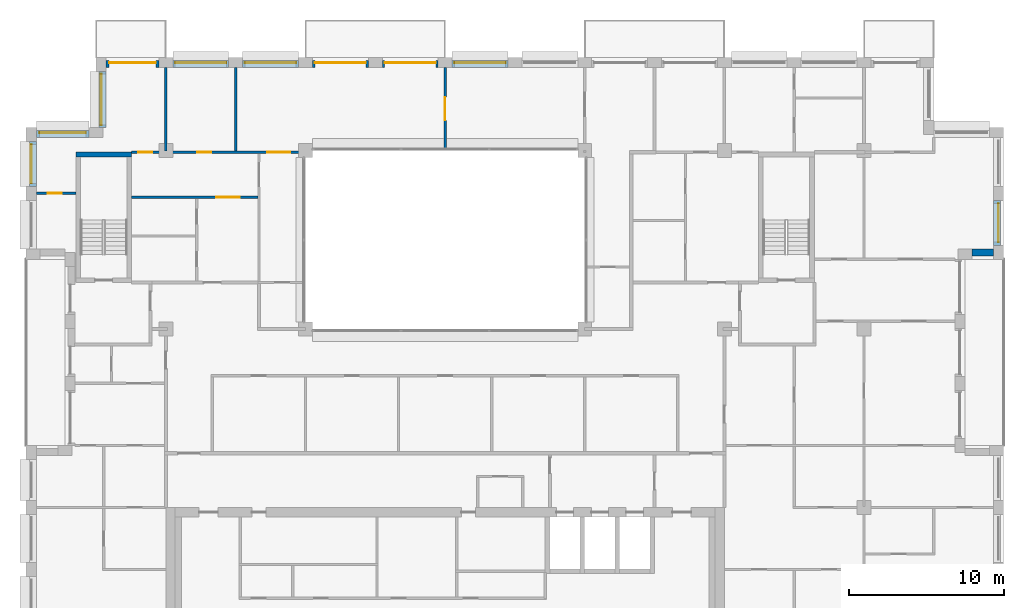
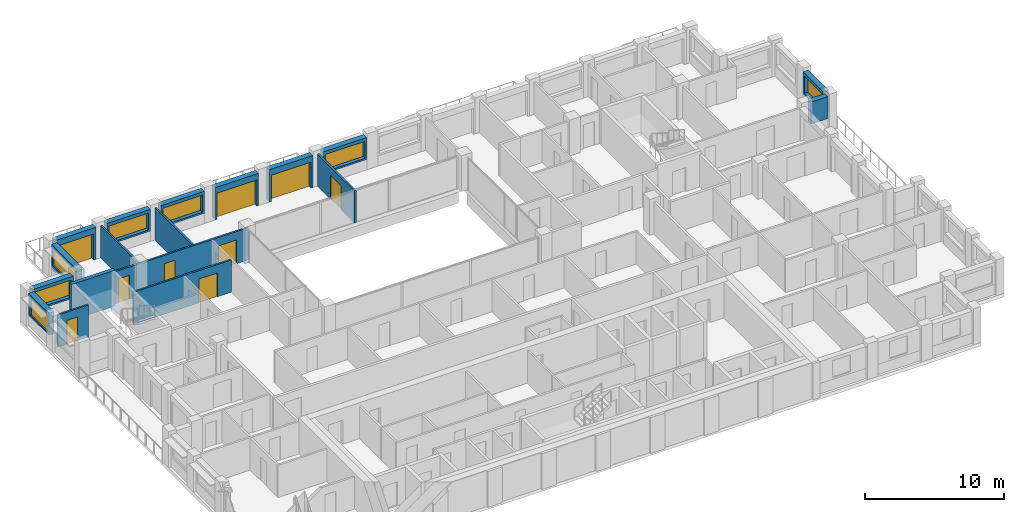
# One storey, part 13 of 16: 18 walls, 9 doors, 7 windows, 16 openings.
"""IFC4 building model written with IfcOpenShell, lengths in metres."""

from ifc_helpers import new_model, si_unit, direction, frame, frame_2d, origin, place, context, subcontext, project, spatial, rectangle, extrude, material, layer, layer_set, type_object, element, fill, save


model = new_model("IFC4")

# Units and contexts
model_context = context("Model", 3, precision=1e-05, world=origin(), true_north=direction((0.0, 1.0)))
body_context = subcontext(model_context, "Body", "Model", "MODEL_VIEW")
ifc_project = project(units=[si_unit("LENGTHUNIT", "METRE"), si_unit("AREAUNIT", "SQUARE_METRE"), si_unit("VOLUMEUNIT", "CUBIC_METRE"), si_unit("PLANEANGLEUNIT", "RADIAN"), si_unit("MASSUNIT", "GRAM", prefix="KILO")], contexts=[model_context])

# Site, building, storey
site_placement = place(None, origin())
site = spatial("IfcSite", under=ifc_project, at=site_placement, CompositionType="ELEMENT")
building_placement = place(site_placement, origin())
building = spatial("IfcBuilding", under=site, at=building_placement, Name="Brigalow Station Residences", CompositionType="ELEMENT")
storey_placement = place(building_placement, frame((0.0, 0.0, 201.14990234375)))
storey = spatial("IfcBuildingStorey", under=building, at=storey_placement, Name="L57", CompositionType="ELEMENT", Elevation=201.14990234375)

# Wall
ifc_material_1 = material(Name="Clay brick masonry", Category="masonry")
ifc_layer_1 = layer(ifc_material_1, 0.449951171875)
ifc_layer_set_1 = layer_set([ifc_layer_1], Name="BRICK INFILL WALL 450")
wall_type_1 = type_object("IfcWallType", Name="BRICK INFILL WALL 450", PredefinedType="SOLIDWALL", material=ifc_layer_set_1)
wall_1_placement = place(storey_placement, frame((69.949951171875, 28.925048828125, 0.900146484375), z_axis=(0.0, 0.0, 1.0), x_axis=(1.0, 0.0, 0.0)))
element("IfcWall", 1, at=wall_1_placement, inside=storey, type_object=wall_type_1, Name="L57/ewall/W-L57-15", PredefinedType="SOLIDWALL", context=body_context, shape_type="SweptSolid", body=[
    extrude(rectangle(XDim=1.400146484375, YDim=0.449951171875, at=frame_2d((0.7001953125, 0.0))), origin(), (0.0, 0.0, 1.0), 1.929931640625),
])

# Wall, opening, window
wall_2_placement = place(storey_placement, frame((71.574951171875, 29.39990234375, 0.900146484375), z_axis=(0.0, 0.0, 1.0), x_axis=(0.0, 1.0, 0.0)))
wall_2 = element("IfcWall", 2, at=wall_2_placement, inside=storey, type_object=wall_type_1, Name="L57/ewall/W-L57-16", PredefinedType="SOLIDWALL", context=body_context, shape_type="SweptSolid", body=[
    extrude(rectangle(XDim=2.900146484375, YDim=0.449951171875, at=frame_2d((1.4501953125, 0.0))), origin(), (0.0, 0.0, 1.0), 1.929931640625),
])
opening_1_placement = place(wall_2_placement, frame((0.199951171875, 0.0, 0.14990234375)))
opening_1 = element("IfcOpeningElement", 3, at=opening_1_placement, cuts=wall_2, Name="Opening WT-5", PredefinedType="OPENING", context=body_context, shape_type="SweptSolid", body=[
    extrude(rectangle(XDim=2.5, YDim=1.5, at=frame_2d((1.25, 0.75))), frame((0.0, 0.23486328125, 0.0), z_axis=(0.0, -1.0, 0.0), x_axis=(1.0, 0.0, 0.0)), (0.0, 0.0, 1.0), 0.469970703125),
])
ifc_material_2 = material(Name="Anodised aluminium frame with double glazing", Category="aluminium")
window_type_1 = type_object("IfcWindowType", Name="WINDOW 2500x1500", PartitioningType="SINGLE_PANEL", PredefinedType="WINDOW", material=ifc_material_2)
window_1_placement = place(opening_1_placement, origin())
window_1 = element("IfcWindow", 4, at=window_1_placement, inside=storey, type_object=window_type_1, Name="L57/window/W-L57-16", OverallHeight=1.5, OverallWidth=2.5, PartitioningType="SINGLE_PANEL", PredefinedType="WINDOW", context=body_context, shape_type="SweptSolid", body=[
    extrude(rectangle(XDim=2.5, YDim=1.5, at=frame_2d((1.25, 0.75))), frame((0.0, -0.06494140625, 0.0), z_axis=(0.0, -1.0, 0.0), x_axis=(1.0, 0.0, 0.0)), (0.0, 0.0, 1.0), 0.06005859375),
])
fill(opening_1, window_1)

wall_3_placement = place(storey_placement, frame((40.050048828125, 41.074951171875, 0.900146484375), z_axis=(0.0, 0.0, 1.0), x_axis=(-1.0, 0.0, 0.0)))
wall_3 = element("IfcWall", 5, at=wall_3_placement, inside=storey, type_object=wall_type_1, Name="L57/ewall/W-L57-26", PredefinedType="SOLIDWALL", context=body_context, shape_type="SweptSolid", body=[
    extrude(rectangle(XDim=3.60009765625, YDim=0.449951171875, at=frame_2d((1.800048828125, 0.0))), origin(), (0.0, 0.0, 1.0), 1.929931640625),
])
opening_2_placement = place(wall_3_placement, frame((0.14990234375, 0.0, 0.14990234375)))
opening_2 = element("IfcOpeningElement", 6, at=opening_2_placement, cuts=wall_3, Name="Opening WT-10", PredefinedType="OPENING", context=body_context, shape_type="SweptSolid", body=[
    extrude(rectangle(XDim=3.300048828125, YDim=1.5, at=frame_2d((1.64990234375, 0.75))), frame((0.0, 0.23486328125, 0.0), z_axis=(0.0, -1.0, 0.0), x_axis=(1.0, 0.0, 0.0)), (0.0, 0.0, 1.0), 0.469970703125),
])
ifc_material_3 = material(Name="Anodised aluminium frame with double glazing", Category="aluminium")
window_type_2 = type_object("IfcWindowType", Name="WINDOW 3300x1500", PartitioningType="SINGLE_PANEL", PredefinedType="WINDOW", material=ifc_material_3)
window_2_placement = place(opening_2_placement, origin())
window_2 = element("IfcWindow", 7, at=window_2_placement, inside=storey, type_object=window_type_2, Name="L57/window/W-L57-26", OverallHeight=1.5, OverallWidth=3.300048828125, PartitioningType="SINGLE_PANEL", PredefinedType="WINDOW", context=body_context, shape_type="SweptSolid", body=[
    extrude(rectangle(XDim=3.300048828125, YDim=1.5, at=frame_2d((1.64990234375, 0.75))), frame((0.0, -0.06494140625, 0.0), z_axis=(0.0, -1.0, 0.0), x_axis=(1.0, 0.0, 0.0)), (0.0, 0.0, 1.0), 0.06005859375),
])
fill(opening_2, window_2)

# Wall, opening, door
wall_4_placement = place(storey_placement, frame((35.550048828125, 41.074951171875, 0.0), z_axis=(0.0, 0.0, 1.0), x_axis=(-1.0, 0.0, 0.0)))
wall_4 = element("IfcWall", 8, at=wall_4_placement, inside=storey, type_object=wall_type_1, Name="L57/ewall/W-L57-27", PredefinedType="SOLIDWALL", context=body_context, shape_type="SweptSolid", body=[
    extrude(rectangle(XDim=3.60009765625, YDim=0.449951171875, at=frame_2d((1.800048828125, 0.0))), origin(), (0.0, 0.0, 1.0), 2.830078125),
])
opening_3_placement = place(wall_4_placement, frame((0.14990234375, 0.0, 0.0)))
opening_3 = element("IfcOpeningElement", 9, at=opening_3_placement, cuts=wall_4, Name="Opening D-B3300", PredefinedType="OPENING", context=body_context, shape_type="SweptSolid", body=[
    extrude(rectangle(XDim=3.300048828125, YDim=2.300048828125, at=frame_2d((1.64990234375, 1.14990234375))), frame((0.0, 0.23486328125, 0.0), z_axis=(0.0, -1.0, 0.0), x_axis=(1.0, 0.0, 0.0)), (0.0, 0.0, 1.0), 0.469970703125),
])
ifc_material_4 = material(Name="Anodised aluminium frame with double glazing", Category="aluminium")
door_type_1 = type_object("IfcDoorType", Name="BALCONY SLIDING DOOR 3300x2300", OperationType="SLIDING_TO_LEFT", PredefinedType="DOOR", material=ifc_material_4)
door_1_placement = place(opening_3_placement, origin())
door_1 = element("IfcDoor", 10, at=door_1_placement, inside=storey, type_object=door_type_1, Name="L57/balcony-door/W-L57-27", OperationType="SLIDING_TO_LEFT", OverallHeight=2.300048828125, OverallWidth=3.300048828125, PredefinedType="DOOR", context=body_context, shape_type="SweptSolid", body=[
    extrude(rectangle(XDim=3.300048828125, YDim=2.300048828125, at=frame_2d((1.64990234375, 1.14990234375))), frame((0.0, -0.06982421875, 0.0), z_axis=(0.0, -1.0, 0.0), x_axis=(1.0, 0.0, 0.0)), (0.0, 0.0, 1.0), 0.050048828125),
])
fill(opening_3, door_1)

wall_5_placement = place(storey_placement, frame((31.050048828125, 41.074951171875, 0.0), z_axis=(0.0, 0.0, 1.0), x_axis=(-1.0, 0.0, 0.0)))
wall_5 = element("IfcWall", 11, at=wall_5_placement, inside=storey, type_object=wall_type_1, Name="L57/ewall/W-L57-28", PredefinedType="SOLIDWALL", context=body_context, shape_type="SweptSolid", body=[
    extrude(rectangle(XDim=3.60009765625, YDim=0.449951171875, at=frame_2d((1.800048828125, 0.0))), origin(), (0.0, 0.0, 1.0), 2.830078125),
])
opening_4_placement = place(wall_5_placement, frame((0.14990234375, 0.0, 0.0)))
opening_4 = element("IfcOpeningElement", 12, at=opening_4_placement, cuts=wall_5, Name="Opening D-B3300", PredefinedType="OPENING", context=body_context, shape_type="SweptSolid", body=[
    extrude(rectangle(XDim=3.300048828125, YDim=2.300048828125, at=frame_2d((1.64990234375, 1.14990234375))), frame((0.0, 0.23486328125, 0.0), z_axis=(0.0, -1.0, 0.0), x_axis=(1.0, 0.0, 0.0)), (0.0, 0.0, 1.0), 0.469970703125),
])
door_2_placement = place(opening_4_placement, origin())
door_2 = element("IfcDoor", 13, at=door_2_placement, inside=storey, type_object=door_type_1, Name="L57/balcony-door/W-L57-28", OperationType="SLIDING_TO_LEFT", OverallHeight=2.300048828125, OverallWidth=3.300048828125, PredefinedType="DOOR", context=body_context, shape_type="SweptSolid", body=[
    extrude(rectangle(XDim=3.300048828125, YDim=2.300048828125, at=frame_2d((1.64990234375, 1.14990234375))), frame((0.0, -0.06982421875, 0.0), z_axis=(0.0, -1.0, 0.0), x_axis=(1.0, 0.0, 0.0)), (0.0, 0.0, 1.0), 0.050048828125),
])
fill(opening_4, door_2)

# Wall, opening, window
wall_6_placement = place(storey_placement, frame((26.550048828125, 41.074951171875, 0.900146484375), z_axis=(0.0, 0.0, 1.0), x_axis=(-1.0, 0.0, 0.0)))
wall_6 = element("IfcWall", 14, at=wall_6_placement, inside=storey, type_object=wall_type_1, Name="L57/ewall/W-L57-29", PredefinedType="SOLIDWALL", context=body_context, shape_type="SweptSolid", body=[
    extrude(rectangle(XDim=3.60009765625, YDim=0.449951171875, at=frame_2d((1.800048828125, 0.0))), origin(), (0.0, 0.0, 1.0), 1.929931640625),
])
opening_5_placement = place(wall_6_placement, frame((0.14990234375, 0.0, 0.14990234375)))
opening_5 = element("IfcOpeningElement", 15, at=opening_5_placement, cuts=wall_6, Name="Opening WT-10", PredefinedType="OPENING", context=body_context, shape_type="SweptSolid", body=[
    extrude(rectangle(XDim=3.300048828125, YDim=1.5, at=frame_2d((1.64990234375, 0.75))), frame((0.0, 0.23486328125, 0.0), z_axis=(0.0, -1.0, 0.0), x_axis=(1.0, 0.0, 0.0)), (0.0, 0.0, 1.0), 0.469970703125),
])
window_3_placement = place(opening_5_placement, origin())
window_3 = element("IfcWindow", 16, at=window_3_placement, inside=storey, type_object=window_type_2, Name="L57/window/W-L57-29", OverallHeight=1.5, OverallWidth=3.300048828125, PartitioningType="SINGLE_PANEL", PredefinedType="WINDOW", context=body_context, shape_type="SweptSolid", body=[
    extrude(rectangle(XDim=3.300048828125, YDim=1.5, at=frame_2d((1.64990234375, 0.75))), frame((0.0, -0.06494140625, 0.0), z_axis=(0.0, -1.0, 0.0), x_axis=(1.0, 0.0, 0.0)), (0.0, 0.0, 1.0), 0.06005859375),
])
fill(opening_5, window_3)

wall_7_placement = place(storey_placement, frame((22.050048828125, 41.074951171875, 0.900146484375), z_axis=(0.0, 0.0, 1.0), x_axis=(-1.0, 0.0, 0.0)))
wall_7 = element("IfcWall", 17, at=wall_7_placement, inside=storey, type_object=wall_type_1, Name="L57/ewall/W-L57-30", PredefinedType="SOLIDWALL", context=body_context, shape_type="SweptSolid", body=[
    extrude(rectangle(XDim=3.60009765625, YDim=0.449951171875, at=frame_2d((1.800048828125, 0.0))), origin(), (0.0, 0.0, 1.0), 1.929931640625),
])
opening_6_placement = place(wall_7_placement, frame((0.14990234375, 0.0, 0.14990234375)))
opening_6 = element("IfcOpeningElement", 18, at=opening_6_placement, cuts=wall_7, Name="Opening WT-10", PredefinedType="OPENING", context=body_context, shape_type="SweptSolid", body=[
    extrude(rectangle(XDim=3.300048828125, YDim=1.5, at=frame_2d((1.64990234375, 0.75))), frame((0.0, 0.23486328125, 0.0), z_axis=(0.0, -1.0, 0.0), x_axis=(1.0, 0.0, 0.0)), (0.0, 0.0, 1.0), 0.469970703125),
])
window_4_placement = place(opening_6_placement, origin())
window_4 = element("IfcWindow", 19, at=window_4_placement, inside=storey, type_object=window_type_2, Name="L57/window/W-L57-30", OverallHeight=1.5, OverallWidth=3.300048828125, PartitioningType="SINGLE_PANEL", PredefinedType="WINDOW", context=body_context, shape_type="SweptSolid", body=[
    extrude(rectangle(XDim=3.300048828125, YDim=1.5, at=frame_2d((1.64990234375, 0.75))), frame((0.0, -0.06494140625, 0.0), z_axis=(0.0, -1.0, 0.0), x_axis=(1.0, 0.0, 0.0)), (0.0, 0.0, 1.0), 0.06005859375),
])
fill(opening_6, window_4)

# Wall, opening, door
wall_8_placement = place(storey_placement, frame((17.550048828125, 41.074951171875, 0.0), z_axis=(0.0, 0.0, 1.0), x_axis=(-1.0, 0.0, 0.0)))
wall_8 = element("IfcWall", 20, at=wall_8_placement, inside=storey, type_object=wall_type_1, Name="L57/ewall/W-L57-31", PredefinedType="SOLIDWALL", context=body_context, shape_type="SweptSolid", body=[
    extrude(rectangle(XDim=3.400146484375, YDim=0.449951171875, at=frame_2d((1.7001953125, 0.0))), origin(), (0.0, 0.0, 1.0), 2.830078125),
])
opening_7_placement = place(wall_8_placement, frame((0.199951171875, 0.0, 0.0)))
opening_7 = element("IfcOpeningElement", 21, at=opening_7_placement, cuts=wall_8, Name="Opening D-B3000", PredefinedType="OPENING", context=body_context, shape_type="SweptSolid", body=[
    extrude(rectangle(XDim=3.0, YDim=2.300048828125, at=frame_2d((1.5, 1.14990234375))), frame((0.0, 0.23486328125, 0.0), z_axis=(0.0, -1.0, 0.0), x_axis=(1.0, 0.0, 0.0)), (0.0, 0.0, 1.0), 0.469970703125),
])
ifc_material_5 = material(Name="Anodised aluminium frame with double glazing", Category="aluminium")
door_type_2 = type_object("IfcDoorType", Name="BALCONY SLIDING DOOR 3000x2300", OperationType="SLIDING_TO_LEFT", PredefinedType="DOOR", material=ifc_material_5)
door_3_placement = place(opening_7_placement, origin())
door_3 = element("IfcDoor", 22, at=door_3_placement, inside=storey, type_object=door_type_2, Name="L57/balcony-door/W-L57-31", OperationType="SLIDING_TO_LEFT", OverallHeight=2.300048828125, OverallWidth=3.0, PredefinedType="DOOR", context=body_context, shape_type="SweptSolid", body=[
    extrude(rectangle(XDim=3.0, YDim=2.300048828125, at=frame_2d((1.5, 1.14990234375))), frame((0.0, -0.06982421875, 0.0), z_axis=(0.0, -1.0, 0.0), x_axis=(1.0, 0.0, 0.0)), (0.0, 0.0, 1.0), 0.050048828125),
])
fill(opening_7, door_3)

# Wall, opening, window
wall_9_placement = place(storey_placement, frame((13.925048828125, 40.60009765625, 0.900146484375), z_axis=(0.0, 0.0, 1.0), x_axis=(0.0, -1.0, 0.0)))
wall_9 = element("IfcWall", 23, at=wall_9_placement, inside=storey, type_object=wall_type_1, Name="L57/ewall/W-L57-32", PredefinedType="SOLIDWALL", context=body_context, shape_type="SweptSolid", body=[
    extrude(rectangle(XDim=3.60009765625, YDim=0.449951171875, at=frame_2d((1.800048828125, 0.0))), origin(), (0.0, 0.0, 1.0), 1.929931640625),
])
opening_8_placement = place(wall_9_placement, frame((0.14990234375, 0.0, 0.14990234375)))
opening_8 = element("IfcOpeningElement", 24, at=opening_8_placement, cuts=wall_9, Name="Opening WT-10", PredefinedType="OPENING", context=body_context, shape_type="SweptSolid", body=[
    extrude(rectangle(XDim=3.300048828125, YDim=1.5, at=frame_2d((1.64990234375, 0.75))), frame((0.0, 0.23486328125, 0.0), z_axis=(0.0, -1.0, 0.0), x_axis=(1.0, 0.0, 0.0)), (0.0, 0.0, 1.0), 0.469970703125),
])
window_5_placement = place(opening_8_placement, origin())
window_5 = element("IfcWindow", 25, at=window_5_placement, inside=storey, type_object=window_type_2, Name="L57/window/W-L57-32", OverallHeight=1.5, OverallWidth=3.300048828125, PartitioningType="SINGLE_PANEL", PredefinedType="WINDOW", context=body_context, shape_type="SweptSolid", body=[
    extrude(rectangle(XDim=3.300048828125, YDim=1.5, at=frame_2d((1.64990234375, 0.75))), frame((0.0, -0.06494140625, 0.0), z_axis=(0.0, -1.0, 0.0), x_axis=(1.0, 0.0, 0.0)), (0.0, 0.0, 1.0), 0.06005859375),
])
fill(opening_8, window_5)

wall_10_placement = place(storey_placement, frame((13.050048828125, 36.574951171875, 0.900146484375), z_axis=(0.0, 0.0, 1.0), x_axis=(-1.0, 0.0, 0.0)))
wall_10 = element("IfcWall", 26, at=wall_10_placement, inside=storey, type_object=wall_type_1, Name="L57/ewall/W-L57-33", PredefinedType="SOLIDWALL", context=body_context, shape_type="SweptSolid", body=[
    extrude(rectangle(XDim=3.400146484375, YDim=0.449951171875, at=frame_2d((1.7001953125, 0.0))), origin(), (0.0, 0.0, 1.0), 1.929931640625),
])
opening_9_placement = place(wall_10_placement, frame((0.199951171875, 0.0, 0.14990234375)))
opening_9 = element("IfcOpeningElement", 27, at=opening_9_placement, cuts=wall_10, Name="Opening WT-2", PredefinedType="OPENING", context=body_context, shape_type="SweptSolid", body=[
    extrude(rectangle(XDim=3.0, YDim=1.5, at=frame_2d((1.5, 0.75))), frame((0.0, 0.23486328125, 0.0), z_axis=(0.0, -1.0, 0.0), x_axis=(1.0, 0.0, 0.0)), (0.0, 0.0, 1.0), 0.469970703125),
])
ifc_material_6 = material(Name="Anodised aluminium frame with double glazing", Category="aluminium")
window_type_3 = type_object("IfcWindowType", Name="WINDOW 3000x1500", PartitioningType="SINGLE_PANEL", PredefinedType="WINDOW", material=ifc_material_6)
window_6_placement = place(opening_9_placement, origin())
window_6 = element("IfcWindow", 28, at=window_6_placement, inside=storey, type_object=window_type_3, Name="L57/window/W-L57-33", OverallHeight=1.5, OverallWidth=3.0, PartitioningType="SINGLE_PANEL", PredefinedType="WINDOW", context=body_context, shape_type="SweptSolid", body=[
    extrude(rectangle(XDim=3.0, YDim=1.5, at=frame_2d((1.5, 0.75))), frame((0.0, -0.06494140625, 0.0), z_axis=(0.0, -1.0, 0.0), x_axis=(1.0, 0.0, 0.0)), (0.0, 0.0, 1.0), 0.06005859375),
])
fill(opening_9, window_6)

wall_11_placement = place(storey_placement, frame((9.425048828125, 36.10009765625, 0.900146484375), z_axis=(0.0, 0.0, 1.0), x_axis=(0.0, -1.0, 0.0)))
wall_11 = element("IfcWall", 29, at=wall_11_placement, inside=storey, type_object=wall_type_1, Name="L57/ewall/W-L57-34", PredefinedType="SOLIDWALL", context=body_context, shape_type="SweptSolid", body=[
    extrude(rectangle(XDim=2.900146484375, YDim=0.449951171875, at=frame_2d((1.4501953125, 0.0))), origin(), (0.0, 0.0, 1.0), 1.929931640625),
])
opening_10_placement = place(wall_11_placement, frame((0.199951171875, 0.0, 0.14990234375)))
opening_10 = element("IfcOpeningElement", 30, at=opening_10_placement, cuts=wall_11, Name="Opening WT-5", PredefinedType="OPENING", context=body_context, shape_type="SweptSolid", body=[
    extrude(rectangle(XDim=2.5, YDim=1.5, at=frame_2d((1.25, 0.75))), frame((0.0, 0.23486328125, 0.0), z_axis=(0.0, -1.0, 0.0), x_axis=(1.0, 0.0, 0.0)), (0.0, 0.0, 1.0), 0.469970703125),
])
window_7_placement = place(opening_10_placement, origin())
window_7 = element("IfcWindow", 31, at=window_7_placement, inside=storey, type_object=window_type_1, Name="L57/window/W-L57-34", OverallHeight=1.5, OverallWidth=2.5, PartitioningType="SINGLE_PANEL", PredefinedType="WINDOW", context=body_context, shape_type="SweptSolid", body=[
    extrude(rectangle(XDim=2.5, YDim=1.5, at=frame_2d((1.25, 0.75))), frame((0.0, -0.06494140625, 0.0), z_axis=(0.0, -1.0, 0.0), x_axis=(1.0, 0.0, 0.0)), (0.0, 0.0, 1.0), 0.06005859375),
])
fill(opening_10, window_7)

# Wall
ifc_material_7 = material(Name="Concrete C50", Category="concrete")
ifc_layer_2 = layer(ifc_material_7, 0.300048828125)
ifc_layer_set_2 = layer_set([ifc_layer_2], Name="CORE SHEAR WALL 300 C50")
wall_type_2 = type_object("IfcWallType", Name="CORE SHEAR WALL 300 C50", PredefinedType="SHEAR", material=ifc_layer_set_2)
wall_12_placement = place(storey_placement, frame((12.199951171875, 35.25, 0.0), z_axis=(0.0, 0.0, 1.0), x_axis=(1.0, 0.0, 0.0)))
element("IfcWall", 32, at=wall_12_placement, inside=storey, type_object=wall_type_2, Name="CORE WALL ST-S1-N L57", PredefinedType="SHEAR", context=body_context, shape_type="SweptSolid", body=[
    extrude(rectangle(XDim=3.60009765625, YDim=0.300048828125, at=frame_2d((1.800048828125, 0.0))), origin(), (0.0, 0.0, 1.0), 3.150146484375),
])

# Wall, opening, door
ifc_material_8 = material(Name="Plasterboard on steel stud partition", Category="steel")
ifc_layer_3 = layer(ifc_material_8, 0.14990234375)
ifc_layer_set_3 = layer_set([ifc_layer_3], Name="FLAT PARTITION 150")
wall_type_3 = type_object("IfcWallType", Name="FLAT PARTITION 150", PredefinedType="PARTITIONING", material=ifc_layer_set_3)
wall_13_placement = place(storey_placement, frame((15.800048828125, 32.5, 0.0), z_axis=(0.0, 0.0, 1.0), x_axis=(1.0, 0.0, 0.0)))
wall_13 = element("IfcWall", 33, at=wall_13_placement, inside=storey, type_object=wall_type_3, Name="PW-4A18", PredefinedType="PARTITIONING", context=body_context, shape_type="SweptSolid", body=[
    extrude(rectangle(XDim=8.125, YDim=0.14990234375, at=frame_2d((4.0625, 0.0))), origin(), (0.0, 0.0, 1.0), 2.830078125),
])
opening_11_placement = place(wall_13_placement, frame((5.449951171875, 0.0, 0.0)))
opening_11 = element("IfcOpeningElement", 34, at=opening_11_placement, cuts=wall_13, Name="Opening D-4A14", PredefinedType="OPENING", context=body_context, shape_type="SweptSolid", body=[
    extrude(rectangle(XDim=1.5, YDim=2.10009765625, at=frame_2d((0.75, 1.050048828125))), frame((0.0, 0.0849609375, 0.0), z_axis=(0.0, -1.0, 0.0), x_axis=(1.0, 0.0, 0.0)), (0.0, 0.0, 1.0), 0.169921875),
])
ifc_material_9 = material(Name="Solid-core timber door leaf", Category="wood")
door_type_3 = type_object("IfcDoorType", Name="INTERNAL DOUBLE DOOR 1500 x 2100", OperationType="DOUBLE_DOOR_SINGLE_SWING", PredefinedType="DOOR", material=ifc_material_9)
door_4_placement = place(opening_11_placement, frame((1.5, 0.0, 0.0), z_axis=(0.0, 0.0, 1.0), x_axis=(-1.0, 0.0, 0.0)))
door_4 = element("IfcDoor", 35, at=door_4_placement, inside=storey, type_object=door_type_3, Name="D-4A14", OperationType="DOUBLE_DOOR_SINGLE_SWING", OverallHeight=2.10009765625, OverallWidth=1.5, PredefinedType="DOOR", context=body_context, shape_type="SweptSolid", body=[
    extrude(rectangle(XDim=1.5, YDim=2.10009765625, at=frame_2d((0.75, 1.050048828125))), frame((0.0, 0.02490234375, 0.0), z_axis=(0.0, -1.0, 0.0), x_axis=(1.0, 0.0, 0.0)), (0.0, 0.0, 1.0), 0.050048828125),
])
fill(opening_11, door_4)

# Wall, openings, doors
wall_14_placement = place(storey_placement, frame((15.800048828125, 35.39990234375, 0.0), z_axis=(0.0, 0.0, 1.0), x_axis=(1.0, 0.0, 0.0)))
wall_14 = element("IfcWall", 36, at=wall_14_placement, inside=storey, type_object=wall_type_3, Name="PW-4A20", PredefinedType="PARTITIONING", context=body_context, shape_type="SweptSolid", body=[
    extrude(rectangle(XDim=11.199951171875, YDim=0.14990234375, at=frame_2d((5.60009765625, 0.0))), origin(), (0.0, 0.0, 1.0), 2.830078125),
])
opening_12_placement = place(wall_14_placement, frame((0.425048828125, 0.0, 0.0)))
opening_12 = element("IfcOpeningElement", 37, at=opening_12_placement, cuts=wall_14, Name="Opening D-4A17", PredefinedType="OPENING", context=body_context, shape_type="SweptSolid", body=[
    extrude(rectangle(XDim=0.89990234375, YDim=2.10009765625, at=frame_2d((0.449951171875, 1.050048828125))), frame((0.0, 0.0849609375, 0.0), z_axis=(0.0, -1.0, 0.0), x_axis=(1.0, 0.0, 0.0)), (0.0, 0.0, 1.0), 0.169921875),
])
opening_13_placement = place(wall_14_placement, frame((4.22509765625, 0.0, 0.0)))
opening_13 = element("IfcOpeningElement", 38, at=opening_13_placement, cuts=wall_14, Name="Opening D-4A19", PredefinedType="OPENING", context=body_context, shape_type="SweptSolid", body=[
    extrude(rectangle(XDim=0.89990234375, YDim=2.10009765625, at=frame_2d((0.449951171875, 1.050048828125))), frame((0.0, 0.0849609375, 0.0), z_axis=(0.0, -1.0, 0.0), x_axis=(1.0, 0.0, 0.0)), (0.0, 0.0, 1.0), 0.169921875),
])
opening_14_placement = place(wall_14_placement, frame((8.72509765625, 0.0, 0.0)))
opening_14 = element("IfcOpeningElement", 39, at=opening_14_placement, cuts=wall_14, Name="Opening D-4A20", PredefinedType="OPENING", context=body_context, shape_type="SweptSolid", body=[
    extrude(rectangle(XDim=1.5, YDim=2.10009765625, at=frame_2d((0.75, 1.050048828125))), frame((0.0, 0.0849609375, 0.0), z_axis=(0.0, -1.0, 0.0), x_axis=(1.0, 0.0, 0.0)), (0.0, 0.0, 1.0), 0.169921875),
])
ifc_material_10 = material(Name="Solid-core timber door leaf", Category="wood")
door_type_4 = type_object("IfcDoorType", Name="INTERNAL DOOR 900 x 2100", OperationType="SINGLE_SWING_LEFT", PredefinedType="DOOR", material=ifc_material_10)
door_5_placement = place(opening_12_placement, origin())
door_5 = element("IfcDoor", 40, at=door_5_placement, inside=storey, type_object=door_type_4, Name="D-4A17", OperationType="SINGLE_SWING_RIGHT", OverallHeight=2.10009765625, OverallWidth=0.89990234375, PredefinedType="DOOR", context=body_context, shape_type="SweptSolid", body=[
    extrude(rectangle(XDim=0.89990234375, YDim=2.10009765625, at=frame_2d((0.449951171875, 1.050048828125))), frame((0.0, 0.02490234375, 0.0), z_axis=(0.0, -1.0, 0.0), x_axis=(1.0, 0.0, 0.0)), (0.0, 0.0, 1.0), 0.050048828125),
])
fill(opening_12, door_5)
door_6_placement = place(opening_13_placement, origin())
door_6 = element("IfcDoor", 41, at=door_6_placement, inside=storey, type_object=door_type_4, Name="D-4A19", OperationType="SINGLE_SWING_RIGHT", OverallHeight=2.10009765625, OverallWidth=0.89990234375, PredefinedType="DOOR", context=body_context, shape_type="SweptSolid", body=[
    extrude(rectangle(XDim=0.89990234375, YDim=2.10009765625, at=frame_2d((0.449951171875, 1.050048828125))), frame((0.0, 0.02490234375, 0.0), z_axis=(0.0, -1.0, 0.0), x_axis=(1.0, 0.0, 0.0)), (0.0, 0.0, 1.0), 0.050048828125),
])
fill(opening_13, door_6)
door_7_placement = place(opening_14_placement, origin())
door_7 = element("IfcDoor", 42, at=door_7_placement, inside=storey, type_object=door_type_3, Name="D-4A20", OperationType="DOUBLE_DOOR_SINGLE_SWING", OverallHeight=2.10009765625, OverallWidth=1.5, PredefinedType="DOOR", context=body_context, shape_type="SweptSolid", body=[
    extrude(rectangle(XDim=1.5, YDim=2.10009765625, at=frame_2d((0.75, 1.050048828125))), frame((0.0, 0.02490234375, 0.0), z_axis=(0.0, -1.0, 0.0), x_axis=(1.0, 0.0, 0.0)), (0.0, 0.0, 1.0), 0.050048828125),
])
fill(opening_14, door_7)

# Wall, opening, door
wall_15_placement = place(storey_placement, frame((9.64990234375, 32.75, 0.0), z_axis=(0.0, 0.0, 1.0), x_axis=(1.0, 0.0, 0.0)))
wall_15 = element("IfcWall", 43, at=wall_15_placement, inside=storey, type_object=wall_type_3, Name="PW-4A25", PredefinedType="PARTITIONING", context=body_context, shape_type="SweptSolid", body=[
    extrude(rectangle(XDim=2.550048828125, YDim=0.14990234375, at=frame_2d((1.27490234375, 0.0))), origin(), (0.0, 0.0, 1.0), 2.830078125),
])
opening_15_placement = place(wall_15_placement, frame((0.75, 0.0, 0.0)))
opening_15 = element("IfcOpeningElement", 44, at=opening_15_placement, cuts=wall_15, Name="Opening D-4A18", PredefinedType="OPENING", context=body_context, shape_type="SweptSolid", body=[
    extrude(rectangle(XDim=0.89990234375, YDim=2.10009765625, at=frame_2d((0.449951171875, 1.050048828125))), frame((0.0, 0.0849609375, 0.0), z_axis=(0.0, -1.0, 0.0), x_axis=(1.0, 0.0, 0.0)), (0.0, 0.0, 1.0), 0.169921875),
])
door_8_placement = place(opening_15_placement, frame((0.89990234375, 0.0, 0.0), z_axis=(0.0, 0.0, 1.0), x_axis=(-1.0, 0.0, 0.0)))
door_8 = element("IfcDoor", 45, at=door_8_placement, inside=storey, type_object=door_type_4, Name="D-4A18", OperationType="SINGLE_SWING_RIGHT", OverallHeight=2.10009765625, OverallWidth=0.89990234375, PredefinedType="DOOR", context=body_context, shape_type="SweptSolid", body=[
    extrude(rectangle(XDim=0.89990234375, YDim=2.10009765625, at=frame_2d((0.449951171875, 1.050048828125))), frame((0.0, 0.02490234375, 0.0), z_axis=(0.0, -1.0, 0.0), x_axis=(1.0, 0.0, 0.0)), (0.0, 0.0, 1.0), 0.050048828125),
])
fill(opening_15, door_8)

# Walls
for number, where, z_axis, x_axis, name in (
    (46, (18.0, 35.47509765625, 0.0), (0.0, 0.0, 1.0), (0.0, 1.0, 0.0), "PW-4A33"),
    (47, (22.5, 35.47509765625, 0.0), (0.0, 0.0, 1.0), (0.0, 1.0, 0.0), "PW-4A46"),
):
    element("IfcWall", number, at=place(storey_placement, frame(where, z_axis=z_axis, x_axis=x_axis)), inside=storey, type_object=wall_type_3, Name=name, PredefinedType="PARTITIONING", context=body_context, shape_type="SweptSolid", body=[
        extrude(rectangle(XDim=5.375, YDim=0.14990234375, at=frame_2d((2.6875, 0.0))), origin(), (0.0, 0.0, 1.0), 2.830078125),
    ])

# Wall, opening, door
wall_16_placement = place(storey_placement, frame((36.0, 35.5, 0.0), z_axis=(0.0, 0.0, 1.0), x_axis=(0.0, 1.0, 0.0)))
wall_16 = element("IfcWall", 48, at=wall_16_placement, inside=storey, type_object=wall_type_3, Name="PW-4A47", PredefinedType="PARTITIONING", context=body_context, shape_type="SweptSolid", body=[
    extrude(rectangle(XDim=5.35009765625, YDim=0.14990234375, at=frame_2d((2.675048828125, 0.0))), origin(), (0.0, 0.0, 1.0), 2.830078125),
])
opening_16_placement = place(wall_16_placement, frame((1.949951171875, 0.0, 0.0)))
opening_16 = element("IfcOpeningElement", 49, at=opening_16_placement, cuts=wall_16, Name="Opening D-4A21", PredefinedType="OPENING", context=body_context, shape_type="SweptSolid", body=[
    extrude(rectangle(XDim=1.5, YDim=2.10009765625, at=frame_2d((0.75, 1.050048828125))), frame((0.0, 0.0849609375, 0.0), z_axis=(0.0, -1.0, 0.0), x_axis=(1.0, 0.0, 0.0)), (0.0, 0.0, 1.0), 0.169921875),
])
door_9_placement = place(opening_16_placement, frame((1.5, 0.0, 0.0), z_axis=(0.0, 0.0, 1.0), x_axis=(-1.0, 0.0, 0.0)))
door_9 = element("IfcDoor", 50, at=door_9_placement, inside=storey, type_object=door_type_3, Name="D-4A21", OperationType="DOUBLE_DOOR_SINGLE_SWING", OverallHeight=2.10009765625, OverallWidth=1.5, PredefinedType="DOOR", context=body_context, shape_type="SweptSolid", body=[
    extrude(rectangle(XDim=1.5, YDim=2.10009765625, at=frame_2d((0.75, 1.050048828125))), frame((0.0, 0.02490234375, 0.0), z_axis=(0.0, -1.0, 0.0), x_axis=(1.0, 0.0, 0.0)), (0.0, 0.0, 1.0), 0.050048828125),
])
fill(opening_16, door_9)

save(model, "model.ifc")
